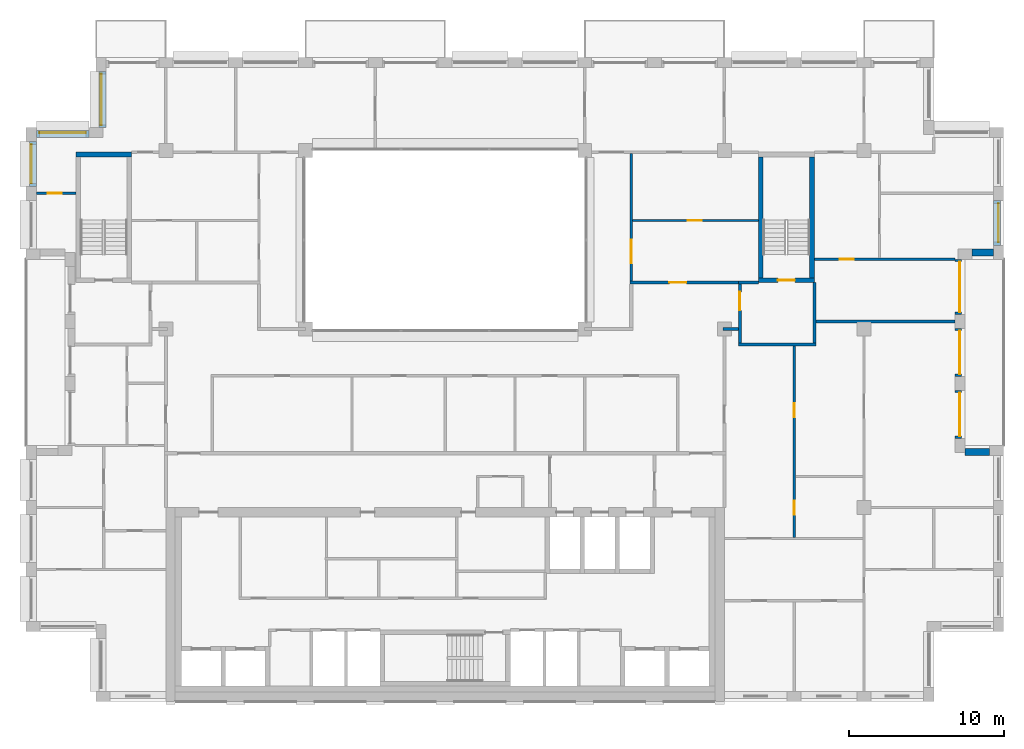
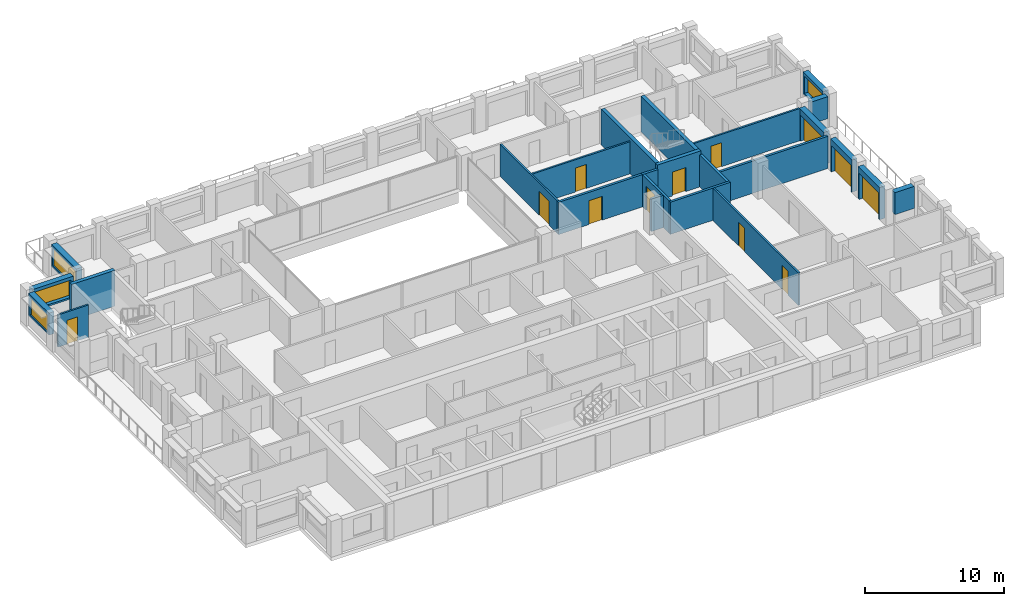
# One storey, part 12 of 15: 25 walls, 12 doors, 4 windows, 16 openings.
"""IFC4 building model written with IfcOpenShell, lengths in metres."""

from ifc_helpers import new_model, si_unit, direction, frame, frame_2d, origin, place, context, subcontext, project, spatial, rectangle, extrude, material, layer, layer_set, type_object, element, fill, save


model = new_model("IFC4")

# Units and contexts
model_context = context("Model", 3, precision=1e-05, world=origin(), true_north=direction((0.0, 1.0)))
body_context = subcontext(model_context, "Body", "Model", "MODEL_VIEW")
ifc_project = project(units=[si_unit("LENGTHUNIT", "METRE"), si_unit("AREAUNIT", "SQUARE_METRE"), si_unit("VOLUMEUNIT", "CUBIC_METRE"), si_unit("PLANEANGLEUNIT", "RADIAN"), si_unit("MASSUNIT", "GRAM", prefix="KILO")], contexts=[model_context])

# Site, building, storey
site_placement = place(None, origin())
site = spatial("IfcSite", under=ifc_project, at=site_placement, CompositionType="ELEMENT")
building_placement = place(site_placement, origin())
building = spatial("IfcBuilding", under=site, at=building_placement, Name="Brigalow Station Residences", CompositionType="ELEMENT")
storey_placement = place(building_placement, frame((0.0, 0.0, 226.35009765625)))
storey = spatial("IfcBuildingStorey", under=building, at=storey_placement, Name="L65", CompositionType="ELEMENT", Elevation=226.35009765625)

# Wall
ifc_material_1 = material(Name="Clay brick masonry", Category="masonry")
ifc_layer_1 = layer(ifc_material_1, 0.449951171875)
ifc_layer_set_1 = layer_set([ifc_layer_1], Name="BRICK INFILL WALL 450")
wall_type_1 = type_object("IfcWallType", Name="BRICK INFILL WALL 450", PredefinedType="SOLIDWALL", material=ifc_layer_set_1)
wall_1_placement = place(storey_placement, frame((71.10009765625, 16.074951171875, 0.89990234375), z_axis=(0.0, 0.0, 1.0), x_axis=(-1.0, 0.0, 0.0)))
element("IfcWall", 1, at=wall_1_placement, inside=storey, type_object=wall_type_1, Name="L65/ewall/W-L65-11", PredefinedType="SOLIDWALL", context=body_context, shape_type="SweptSolid", body=[
    extrude(rectangle(XDim=1.60009765625, YDim=0.449951171875, at=frame_2d((0.800048828125, 0.0))), origin(), (0.0, 0.0, 1.0), 1.929931640625),
])

# Wall, opening, door
wall_2_placement = place(storey_placement, frame((69.074951171875, 16.949951171875, 0.0), z_axis=(0.0, 0.0, 1.0), x_axis=(0.0, 1.0, 0.0)))
wall_2 = element("IfcWall", 2, at=wall_2_placement, inside=storey, type_object=wall_type_1, Name="L65/ewall/W-L65-12", PredefinedType="SOLIDWALL", context=body_context, shape_type="SweptSolid", body=[
    extrude(rectangle(XDim=3.10009765625, YDim=0.449951171875, at=frame_2d((1.550048828125, 0.0))), origin(), (0.0, 0.0, 1.0), 2.829833984375),
])
opening_1_placement = place(wall_2_placement, frame((0.14990234375, 0.0, 0.0)))
opening_1 = element("IfcOpeningElement", 3, at=opening_1_placement, cuts=wall_2, Name="Opening D-B2800", PredefinedType="OPENING", context=body_context, shape_type="SweptSolid", body=[
    extrude(rectangle(XDim=2.800048828125, YDim=2.300048828125, at=frame_2d((1.39990234375, 1.14990234375))), frame((0.0, 0.23486328125, 0.0), z_axis=(0.0, -1.0, 0.0), x_axis=(1.0, 0.0, 0.0)), (0.0, 0.0, 1.0), 0.469970703125),
])
ifc_material_2 = material(Name="Anodised aluminium frame with double glazing", Category="aluminium")
door_type_1 = type_object("IfcDoorType", Name="BALCONY SLIDING DOOR 2800x2300", OperationType="SLIDING_TO_LEFT", PredefinedType="DOOR", material=ifc_material_2)
door_1_placement = place(opening_1_placement, origin())
door_1 = element("IfcDoor", 4, at=door_1_placement, inside=storey, type_object=door_type_1, Name="L65/balcony-door/W-L65-12", OperationType="SLIDING_TO_LEFT", OverallHeight=2.300048828125, OverallWidth=2.800048828125, PredefinedType="DOOR", context=body_context, shape_type="SweptSolid", body=[
    extrude(rectangle(XDim=2.800048828125, YDim=2.300048828125, at=frame_2d((1.39990234375, 1.14990234375))), frame((0.0, -0.06982421875, 0.0), z_axis=(0.0, -1.0, 0.0), x_axis=(1.0, 0.0, 0.0)), (0.0, 0.0, 1.0), 0.050048828125),
])
fill(opening_1, door_1)

wall_3_placement = place(storey_placement, frame((69.074951171875, 20.949951171875, 0.0), z_axis=(0.0, 0.0, 1.0), x_axis=(0.0, 1.0, 0.0)))
wall_3 = element("IfcWall", 5, at=wall_3_placement, inside=storey, type_object=wall_type_1, Name="L65/ewall/W-L65-13", PredefinedType="SOLIDWALL", context=body_context, shape_type="SweptSolid", body=[
    extrude(rectangle(XDim=3.10009765625, YDim=0.449951171875, at=frame_2d((1.550048828125, 0.0))), origin(), (0.0, 0.0, 1.0), 2.829833984375),
])
opening_2_placement = place(wall_3_placement, frame((0.14990234375, 0.0, 0.0)))
opening_2 = element("IfcOpeningElement", 6, at=opening_2_placement, cuts=wall_3, Name="Opening D-B2800", PredefinedType="OPENING", context=body_context, shape_type="SweptSolid", body=[
    extrude(rectangle(XDim=2.800048828125, YDim=2.300048828125, at=frame_2d((1.39990234375, 1.14990234375))), frame((0.0, 0.23486328125, 0.0), z_axis=(0.0, -1.0, 0.0), x_axis=(1.0, 0.0, 0.0)), (0.0, 0.0, 1.0), 0.469970703125),
])
door_2_placement = place(opening_2_placement, origin())
door_2 = element("IfcDoor", 7, at=door_2_placement, inside=storey, type_object=door_type_1, Name="L65/balcony-door/W-L65-13", OperationType="SLIDING_TO_LEFT", OverallHeight=2.300048828125, OverallWidth=2.800048828125, PredefinedType="DOOR", context=body_context, shape_type="SweptSolid", body=[
    extrude(rectangle(XDim=2.800048828125, YDim=2.300048828125, at=frame_2d((1.39990234375, 1.14990234375))), frame((0.0, -0.06982421875, 0.0), z_axis=(0.0, -1.0, 0.0), x_axis=(1.0, 0.0, 0.0)), (0.0, 0.0, 1.0), 0.050048828125),
])
fill(opening_2, door_2)

wall_4_placement = place(storey_placement, frame((69.074951171875, 24.949951171875, 0.0), z_axis=(0.0, 0.0, 1.0), x_axis=(0.0, 1.0, 0.0)))
wall_4 = element("IfcWall", 8, at=wall_4_placement, inside=storey, type_object=wall_type_1, Name="L65/ewall/W-L65-14", PredefinedType="SOLIDWALL", context=body_context, shape_type="SweptSolid", body=[
    extrude(rectangle(XDim=3.550048828125, YDim=0.449951171875, at=frame_2d((1.77490234375, 0.0))), origin(), (0.0, 0.0, 1.0), 2.829833984375),
])
opening_3_placement = place(wall_4_placement, frame((0.14990234375, 0.0, 0.0)))
opening_3 = element("IfcOpeningElement", 9, at=opening_3_placement, cuts=wall_4, Name="Opening D-B3250", PredefinedType="OPENING", context=body_context, shape_type="SweptSolid", body=[
    extrude(rectangle(XDim=3.25, YDim=2.300048828125, at=frame_2d((1.625, 1.14990234375))), frame((0.0, 0.23486328125, 0.0), z_axis=(0.0, -1.0, 0.0), x_axis=(1.0, 0.0, 0.0)), (0.0, 0.0, 1.0), 0.469970703125),
])
ifc_material_3 = material(Name="Anodised aluminium frame with double glazing", Category="aluminium")
door_type_2 = type_object("IfcDoorType", Name="BALCONY SLIDING DOOR 3250x2300", OperationType="SLIDING_TO_LEFT", PredefinedType="DOOR", material=ifc_material_3)
door_3_placement = place(opening_3_placement, origin())
door_3 = element("IfcDoor", 10, at=door_3_placement, inside=storey, type_object=door_type_2, Name="L65/balcony-door/W-L65-14", OperationType="SLIDING_TO_LEFT", OverallHeight=2.300048828125, OverallWidth=3.25, PredefinedType="DOOR", context=body_context, shape_type="SweptSolid", body=[
    extrude(rectangle(XDim=3.25, YDim=2.300048828125, at=frame_2d((1.625, 1.14990234375))), frame((0.0, -0.06982421875, 0.0), z_axis=(0.0, -1.0, 0.0), x_axis=(1.0, 0.0, 0.0)), (0.0, 0.0, 1.0), 0.050048828125),
])
fill(opening_3, door_3)

# Wall
wall_5_placement = place(storey_placement, frame((69.949951171875, 28.925048828125, 0.89990234375), z_axis=(0.0, 0.0, 1.0), x_axis=(1.0, 0.0, 0.0)))
element("IfcWall", 11, at=wall_5_placement, inside=storey, type_object=wall_type_1, Name="L65/ewall/W-L65-15", PredefinedType="SOLIDWALL", context=body_context, shape_type="SweptSolid", body=[
    extrude(rectangle(XDim=1.400146484375, YDim=0.449951171875, at=frame_2d((0.7001953125, 0.0))), origin(), (0.0, 0.0, 1.0), 1.929931640625),
])

# Wall, opening, window
wall_6_placement = place(storey_placement, frame((71.574951171875, 29.39990234375, 0.89990234375), z_axis=(0.0, 0.0, 1.0), x_axis=(0.0, 1.0, 0.0)))
wall_6 = element("IfcWall", 12, at=wall_6_placement, inside=storey, type_object=wall_type_1, Name="L65/ewall/W-L65-16", PredefinedType="SOLIDWALL", context=body_context, shape_type="SweptSolid", body=[
    extrude(rectangle(XDim=2.900146484375, YDim=0.449951171875, at=frame_2d((1.4501953125, 0.0))), origin(), (0.0, 0.0, 1.0), 1.929931640625),
])
opening_4_placement = place(wall_6_placement, frame((0.199951171875, 0.0, 0.14990234375)))
opening_4 = element("IfcOpeningElement", 13, at=opening_4_placement, cuts=wall_6, Name="Opening WT-5", PredefinedType="OPENING", context=body_context, shape_type="SweptSolid", body=[
    extrude(rectangle(XDim=2.5, YDim=1.5, at=frame_2d((1.25, 0.75))), frame((0.0, 0.23486328125, 0.0), z_axis=(0.0, -1.0, 0.0), x_axis=(1.0, 0.0, 0.0)), (0.0, 0.0, 1.0), 0.469970703125),
])
ifc_material_4 = material(Name="Anodised aluminium frame with double glazing", Category="aluminium")
window_type_1 = type_object("IfcWindowType", Name="WINDOW 2500x1500", PartitioningType="SINGLE_PANEL", PredefinedType="WINDOW", material=ifc_material_4)
window_1_placement = place(opening_4_placement, origin())
window_1 = element("IfcWindow", 14, at=window_1_placement, inside=storey, type_object=window_type_1, Name="L65/window/W-L65-16", OverallHeight=1.5, OverallWidth=2.5, PartitioningType="SINGLE_PANEL", PredefinedType="WINDOW", context=body_context, shape_type="SweptSolid", body=[
    extrude(rectangle(XDim=2.5, YDim=1.5, at=frame_2d((1.25, 0.75))), frame((0.0, -0.06494140625, 0.0), z_axis=(0.0, -1.0, 0.0), x_axis=(1.0, 0.0, 0.0)), (0.0, 0.0, 1.0), 0.06005859375),
])
fill(opening_4, window_1)

wall_7_placement = place(storey_placement, frame((13.925048828125, 40.60009765625, 0.89990234375), z_axis=(0.0, 0.0, 1.0), x_axis=(0.0, -1.0, 0.0)))
wall_7 = element("IfcWall", 15, at=wall_7_placement, inside=storey, type_object=wall_type_1, Name="L65/ewall/W-L65-32", PredefinedType="SOLIDWALL", context=body_context, shape_type="SweptSolid", body=[
    extrude(rectangle(XDim=3.60009765625, YDim=0.449951171875, at=frame_2d((1.800048828125, 0.0))), origin(), (0.0, 0.0, 1.0), 1.929931640625),
])
opening_5_placement = place(wall_7_placement, frame((0.14990234375, 0.0, 0.14990234375)))
opening_5 = element("IfcOpeningElement", 16, at=opening_5_placement, cuts=wall_7, Name="Opening WT-10", PredefinedType="OPENING", context=body_context, shape_type="SweptSolid", body=[
    extrude(rectangle(XDim=3.300048828125, YDim=1.5, at=frame_2d((1.64990234375, 0.75))), frame((0.0, 0.23486328125, 0.0), z_axis=(0.0, -1.0, 0.0), x_axis=(1.0, 0.0, 0.0)), (0.0, 0.0, 1.0), 0.469970703125),
])
ifc_material_5 = material(Name="Anodised aluminium frame with double glazing", Category="aluminium")
window_type_2 = type_object("IfcWindowType", Name="WINDOW 3300x1500", PartitioningType="SINGLE_PANEL", PredefinedType="WINDOW", material=ifc_material_5)
window_2_placement = place(opening_5_placement, origin())
window_2 = element("IfcWindow", 17, at=window_2_placement, inside=storey, type_object=window_type_2, Name="L65/window/W-L65-32", OverallHeight=1.5, OverallWidth=3.300048828125, PartitioningType="SINGLE_PANEL", PredefinedType="WINDOW", context=body_context, shape_type="SweptSolid", body=[
    extrude(rectangle(XDim=3.300048828125, YDim=1.5, at=frame_2d((1.64990234375, 0.75))), frame((0.0, -0.06494140625, 0.0), z_axis=(0.0, -1.0, 0.0), x_axis=(1.0, 0.0, 0.0)), (0.0, 0.0, 1.0), 0.06005859375),
])
fill(opening_5, window_2)

wall_8_placement = place(storey_placement, frame((13.050048828125, 36.574951171875, 0.89990234375), z_axis=(0.0, 0.0, 1.0), x_axis=(-1.0, 0.0, 0.0)))
wall_8 = element("IfcWall", 18, at=wall_8_placement, inside=storey, type_object=wall_type_1, Name="L65/ewall/W-L65-33", PredefinedType="SOLIDWALL", context=body_context, shape_type="SweptSolid", body=[
    extrude(rectangle(XDim=3.400146484375, YDim=0.449951171875, at=frame_2d((1.7001953125, 0.0))), origin(), (0.0, 0.0, 1.0), 1.929931640625),
])
opening_6_placement = place(wall_8_placement, frame((0.199951171875, 0.0, 0.14990234375)))
opening_6 = element("IfcOpeningElement", 19, at=opening_6_placement, cuts=wall_8, Name="Opening WT-2", PredefinedType="OPENING", context=body_context, shape_type="SweptSolid", body=[
    extrude(rectangle(XDim=3.0, YDim=1.5, at=frame_2d((1.5, 0.75))), frame((0.0, 0.23486328125, 0.0), z_axis=(0.0, -1.0, 0.0), x_axis=(1.0, 0.0, 0.0)), (0.0, 0.0, 1.0), 0.469970703125),
])
ifc_material_6 = material(Name="Anodised aluminium frame with double glazing", Category="aluminium")
window_type_3 = type_object("IfcWindowType", Name="WINDOW 3000x1500", PartitioningType="SINGLE_PANEL", PredefinedType="WINDOW", material=ifc_material_6)
window_3_placement = place(opening_6_placement, origin())
window_3 = element("IfcWindow", 20, at=window_3_placement, inside=storey, type_object=window_type_3, Name="L65/window/W-L65-33", OverallHeight=1.5, OverallWidth=3.0, PartitioningType="SINGLE_PANEL", PredefinedType="WINDOW", context=body_context, shape_type="SweptSolid", body=[
    extrude(rectangle(XDim=3.0, YDim=1.5, at=frame_2d((1.5, 0.75))), frame((0.0, -0.06494140625, 0.0), z_axis=(0.0, -1.0, 0.0), x_axis=(1.0, 0.0, 0.0)), (0.0, 0.0, 1.0), 0.06005859375),
])
fill(opening_6, window_3)

wall_9_placement = place(storey_placement, frame((9.425048828125, 36.10009765625, 0.89990234375), z_axis=(0.0, 0.0, 1.0), x_axis=(0.0, -1.0, 0.0)))
wall_9 = element("IfcWall", 21, at=wall_9_placement, inside=storey, type_object=wall_type_1, Name="L65/ewall/W-L65-34", PredefinedType="SOLIDWALL", context=body_context, shape_type="SweptSolid", body=[
    extrude(rectangle(XDim=2.900146484375, YDim=0.449951171875, at=frame_2d((1.4501953125, 0.0))), origin(), (0.0, 0.0, 1.0), 1.929931640625),
])
opening_7_placement = place(wall_9_placement, frame((0.199951171875, 0.0, 0.14990234375)))
opening_7 = element("IfcOpeningElement", 22, at=opening_7_placement, cuts=wall_9, Name="Opening WT-5", PredefinedType="OPENING", context=body_context, shape_type="SweptSolid", body=[
    extrude(rectangle(XDim=2.5, YDim=1.5, at=frame_2d((1.25, 0.75))), frame((0.0, 0.23486328125, 0.0), z_axis=(0.0, -1.0, 0.0), x_axis=(1.0, 0.0, 0.0)), (0.0, 0.0, 1.0), 0.469970703125),
])
window_4_placement = place(opening_7_placement, origin())
window_4 = element("IfcWindow", 23, at=window_4_placement, inside=storey, type_object=window_type_1, Name="L65/window/W-L65-34", OverallHeight=1.5, OverallWidth=2.5, PartitioningType="SINGLE_PANEL", PredefinedType="WINDOW", context=body_context, shape_type="SweptSolid", body=[
    extrude(rectangle(XDim=2.5, YDim=1.5, at=frame_2d((1.25, 0.75))), frame((0.0, -0.06494140625, 0.0), z_axis=(0.0, -1.0, 0.0), x_axis=(1.0, 0.0, 0.0)), (0.0, 0.0, 1.0), 0.06005859375),
])
fill(opening_7, window_4)

# Wall
ifc_material_7 = material(Name="Concrete C50", Category="concrete")
ifc_layer_2 = layer(ifc_material_7, 0.300048828125)
ifc_layer_set_2 = layer_set([ifc_layer_2], Name="CORE SHEAR WALL 300 C50")
wall_type_2 = type_object("IfcWallType", Name="CORE SHEAR WALL 300 C50", PredefinedType="SHEAR", material=ifc_layer_set_2)
wall_10_placement = place(storey_placement, frame((12.199951171875, 35.25, 0.0), z_axis=(0.0, 0.0, 1.0), x_axis=(1.0, 0.0, 0.0)))
element("IfcWall", 24, at=wall_10_placement, inside=storey, type_object=wall_type_2, Name="CORE WALL ST-S1-N L65", PredefinedType="SHEAR", context=body_context, shape_type="SweptSolid", body=[
    extrude(rectangle(XDim=3.60009765625, YDim=0.300048828125, at=frame_2d((1.800048828125, 0.0))), origin(), (0.0, 0.0, 1.0), 3.14990234375),
])

# Wall, opening, door
wall_11_placement = place(storey_placement, frame((56.199951171875, 27.14990234375, 0.0), z_axis=(0.0, 0.0, 1.0), x_axis=(1.0, 0.0, 0.0)))
wall_11 = element("IfcWall", 25, at=wall_11_placement, inside=storey, type_object=wall_type_2, Name="CORE WALL ST-S3-S L65", PredefinedType="SHEAR", context=body_context, shape_type="SweptSolid", body=[
    extrude(rectangle(XDim=3.60009765625, YDim=0.300048828125, at=frame_2d((1.800048828125, 0.0))), origin(), (0.0, 0.0, 1.0), 3.14990234375),
])
opening_8_placement = place(wall_11_placement, frame((1.25, 0.0, 0.0)))
opening_8 = element("IfcOpeningElement", 26, at=opening_8_placement, cuts=wall_11, Name="Opening D-5018", PredefinedType="OPENING", context=body_context, shape_type="SweptSolid", body=[
    extrude(rectangle(XDim=1.10009765625, YDim=2.10009765625, at=frame_2d((0.550048828125, 1.050048828125))), frame((0.0, 0.16015625, 0.0), z_axis=(0.0, -1.0, 0.0), x_axis=(1.0, 0.0, 0.0)), (0.0, 0.0, 1.0), 0.320068359375),
])
ifc_material_8 = material(Name="Steel fire door leaf in steel frame", Category="steel")
door_type_3 = type_object("IfcDoorType", Name="STAIR DOOR 1100 x 2100 FD60S", OperationType="SINGLE_SWING_LEFT", PredefinedType="DOOR", material=ifc_material_8)
door_4_placement = place(opening_8_placement, origin())
door_4 = element("IfcDoor", 27, at=door_4_placement, inside=storey, type_object=door_type_3, Name="D-5018", OperationType="SINGLE_SWING_LEFT", OverallHeight=2.10009765625, OverallWidth=1.10009765625, PredefinedType="DOOR", context=body_context, shape_type="SweptSolid", body=[
    extrude(rectangle(XDim=1.10009765625, YDim=2.10009765625, at=frame_2d((0.550048828125, 1.050048828125))), frame((0.0, 0.02490234375, 0.0), z_axis=(0.0, -1.0, 0.0), x_axis=(1.0, 0.0, 0.0)), (0.0, 0.0, 1.0), 0.050048828125),
])
fill(opening_8, door_4)

# Walls
for number, where, z_axis, x_axis, name in (
    (28, (56.35009765625, 27.300048828125, 0.0), (0.0, 0.0, 1.0), (0.0, 1.0, 0.0), "CORE WALL ST-S3-W L65"),
    (29, (59.64990234375, 27.300048828125, 0.0), (0.0, 0.0, 1.0), (0.0, 1.0, 0.0), "CORE WALL ST-S3-E L65"),
):
    element("IfcWall", number, at=place(storey_placement, frame(where, z_axis=z_axis, x_axis=x_axis)), inside=storey, type_object=wall_type_2, Name=name, PredefinedType="SHEAR", context=body_context, shape_type="SweptSolid", body=[
        extrude(rectangle(XDim=7.800048828125, YDim=0.300048828125, at=frame_2d((3.89990234375, 0.0))), origin(), (0.0, 0.0, 1.0), 3.14990234375),
    ])
ifc_material_9 = material(Name="Concrete blockwork", Category="masonry")
ifc_layer_3 = layer(ifc_material_9, 0.199951171875)
ifc_layer_set_3 = layer_set([ifc_layer_3], Name="FIRE RATED CORE PARTITION 200")
wall_type_3 = type_object("IfcWallType", Name="FIRE RATED CORE PARTITION 200", PredefinedType="PARTITIONING", material=ifc_layer_set_3)
wall_12_placement = place(storey_placement, frame((54.89990234375, 23.0, 0.0), z_axis=(0.0, 0.0, 1.0), x_axis=(1.0, 0.0, 0.0)))
element("IfcWall", 30, at=wall_12_placement, inside=storey, type_object=wall_type_3, Name="PW-5024", PredefinedType="PARTITIONING", context=body_context, shape_type="SweptSolid", body=[
    extrude(rectangle(XDim=5.0, YDim=0.199951171875, at=frame_2d((2.5, 0.0))), origin(), (0.0, 0.0, 1.0), 2.829833984375),
])
wall_13_placement = place(storey_placement, frame((54.89990234375, 27.0, 0.0), z_axis=(0.0, 0.0, 1.0), x_axis=(1.0, 0.0, 0.0)))
element("IfcWall", 31, at=wall_13_placement, inside=storey, type_object=wall_type_3, Name="PW-5026", PredefinedType="PARTITIONING", context=body_context, shape_type="SweptSolid", body=[
    extrude(rectangle(XDim=1.300048828125, YDim=0.199951171875, at=frame_2d((0.64990234375, 0.0))), origin(), (0.0, 0.0, 1.0), 2.829833984375),
])

# Wall, opening, door
wall_14_placement = place(storey_placement, frame((55.0, 23.10009765625, 0.0), z_axis=(0.0, 0.0, 1.0), x_axis=(0.0, 1.0, 0.0)))
wall_14 = element("IfcWall", 32, at=wall_14_placement, inside=storey, type_object=wall_type_3, Name="PW-5036", PredefinedType="PARTITIONING", context=body_context, shape_type="SweptSolid", body=[
    extrude(rectangle(XDim=3.7998046875, YDim=0.199951171875, at=frame_2d((1.89990234375, 0.0))), origin(), (0.0, 0.0, 1.0), 2.829833984375),
])
opening_9_placement = place(wall_14_placement, frame((2.10009765625, 0.0, 0.0)))
opening_9 = element("IfcOpeningElement", 33, at=opening_9_placement, cuts=wall_14, Name="Opening D-5019", PredefinedType="OPENING", context=body_context, shape_type="SweptSolid", body=[
    extrude(rectangle(XDim=1.199951171875, YDim=2.10009765625, at=frame_2d((0.60009765625, 1.050048828125))), frame((0.0, 0.10986328125, 0.0), z_axis=(0.0, -1.0, 0.0), x_axis=(1.0, 0.0, 0.0)), (0.0, 0.0, 1.0), 0.219970703125),
])
ifc_material_10 = material(Name="Steel fire door leaf in steel frame", Category="steel")
door_type_4 = type_object("IfcDoorType", Name="STAIR LOBBY DOOR 1200 x 2100 FD60S", OperationType="SINGLE_SWING_LEFT", PredefinedType="DOOR", material=ifc_material_10)
door_5_placement = place(opening_9_placement, frame((1.199951171875, 0.0, 0.0), z_axis=(0.0, 0.0, 1.0), x_axis=(-1.0, 0.0, 0.0)))
door_5 = element("IfcDoor", 34, at=door_5_placement, inside=storey, type_object=door_type_4, Name="D-5019", OperationType="SINGLE_SWING_LEFT", OverallHeight=2.10009765625, OverallWidth=1.199951171875, PredefinedType="DOOR", context=body_context, shape_type="SweptSolid", body=[
    extrude(rectangle(XDim=1.199951171875, YDim=2.10009765625, at=frame_2d((0.60009765625, 1.050048828125))), frame((0.0, 0.02490234375, 0.0), z_axis=(0.0, -1.0, 0.0), x_axis=(1.0, 0.0, 0.0)), (0.0, 0.0, 1.0), 0.050048828125),
])
fill(opening_9, door_5)

# Wall
wall_15_placement = place(storey_placement, frame((59.800048828125, 23.10009765625, 0.0), z_axis=(0.0, 0.0, 1.0), x_axis=(0.0, 1.0, 0.0)))
element("IfcWall", 35, at=wall_15_placement, inside=storey, type_object=wall_type_3, Name="PW-5037", PredefinedType="PARTITIONING", context=body_context, shape_type="SweptSolid", body=[
    extrude(rectangle(XDim=3.89990234375, YDim=0.199951171875, at=frame_2d((1.949951171875, 0.0))), origin(), (0.0, 0.0, 1.0), 2.829833984375),
])

# Wall, opening, door
ifc_material_11 = material(Name="Plasterboard on steel stud partition", Category="steel")
ifc_layer_4 = layer(ifc_material_11, 0.14990234375)
ifc_layer_set_4 = layer_set([ifc_layer_4], Name="FLAT PARTITION 150")
wall_type_4 = type_object("IfcWallType", Name="FLAT PARTITION 150", PredefinedType="PARTITIONING", material=ifc_layer_set_4)
wall_16_placement = place(storey_placement, frame((48.074951171875, 31.0, 0.0), z_axis=(0.0, 0.0, 1.0), x_axis=(1.0, 0.0, 0.0)))
wall_16 = element("IfcWall", 36, at=wall_16_placement, inside=storey, type_object=wall_type_4, Name="PW-4D16", PredefinedType="PARTITIONING", context=body_context, shape_type="SweptSolid", body=[
    extrude(rectangle(XDim=8.125, YDim=0.14990234375, at=frame_2d((4.0625, 0.0))), origin(), (0.0, 0.0, 1.0), 2.829833984375),
])
opening_10_placement = place(wall_16_placement, frame((3.574951171875, 0.0, 0.0)))
opening_10 = element("IfcOpeningElement", 37, at=opening_10_placement, cuts=wall_16, Name="Opening D-4D12", PredefinedType="OPENING", context=body_context, shape_type="SweptSolid", body=[
    extrude(rectangle(XDim=0.89990234375, YDim=2.10009765625, at=frame_2d((0.449951171875, 1.050048828125))), frame((0.0, 0.0849609375, 0.0), z_axis=(0.0, -1.0, 0.0), x_axis=(1.0, 0.0, 0.0)), (0.0, 0.0, 1.0), 0.169921875),
])
ifc_material_12 = material(Name="Solid-core timber door leaf", Category="wood")
door_type_5 = type_object("IfcDoorType", Name="INTERNAL DOOR 900 x 2100", OperationType="SINGLE_SWING_LEFT", PredefinedType="DOOR", material=ifc_material_12)
door_6_placement = place(opening_10_placement, frame((0.89990234375, 0.0, 0.0), z_axis=(0.0, 0.0, 1.0), x_axis=(-1.0, 0.0, 0.0)))
door_6 = element("IfcDoor", 38, at=door_6_placement, inside=storey, type_object=door_type_5, Name="D-4D12", OperationType="SINGLE_SWING_RIGHT", OverallHeight=2.10009765625, OverallWidth=0.89990234375, PredefinedType="DOOR", context=body_context, shape_type="SweptSolid", body=[
    extrude(rectangle(XDim=0.89990234375, YDim=2.10009765625, at=frame_2d((0.449951171875, 1.050048828125))), frame((0.0, 0.02490234375, 0.0), z_axis=(0.0, -1.0, 0.0), x_axis=(1.0, 0.0, 0.0)), (0.0, 0.0, 1.0), 0.050048828125),
])
fill(opening_10, door_6)

wall_17_placement = place(storey_placement, frame((9.64990234375, 32.75, 0.0), z_axis=(0.0, 0.0, 1.0), x_axis=(1.0, 0.0, 0.0)))
wall_17 = element("IfcWall", 39, at=wall_17_placement, inside=storey, type_object=wall_type_4, Name="PW-4D20", PredefinedType="PARTITIONING", context=body_context, shape_type="SweptSolid", body=[
    extrude(rectangle(XDim=2.550048828125, YDim=0.14990234375, at=frame_2d((1.27490234375, 0.0))), origin(), (0.0, 0.0, 1.0), 2.829833984375),
])
opening_11_placement = place(wall_17_placement, frame((0.75, 0.0, 0.0)))
opening_11 = element("IfcOpeningElement", 40, at=opening_11_placement, cuts=wall_17, Name="Opening D-4D24", PredefinedType="OPENING", context=body_context, shape_type="SweptSolid", body=[
    extrude(rectangle(XDim=0.89990234375, YDim=2.10009765625, at=frame_2d((0.449951171875, 1.050048828125))), frame((0.0, 0.0849609375, 0.0), z_axis=(0.0, -1.0, 0.0), x_axis=(1.0, 0.0, 0.0)), (0.0, 0.0, 1.0), 0.169921875),
])
door_7_placement = place(opening_11_placement, frame((0.89990234375, 0.0, 0.0), z_axis=(0.0, 0.0, 1.0), x_axis=(-1.0, 0.0, 0.0)))
door_7 = element("IfcDoor", 41, at=door_7_placement, inside=storey, type_object=door_type_5, Name="D-4D24", OperationType="SINGLE_SWING_RIGHT", OverallHeight=2.10009765625, OverallWidth=0.89990234375, PredefinedType="DOOR", context=body_context, shape_type="SweptSolid", body=[
    extrude(rectangle(XDim=0.89990234375, YDim=2.10009765625, at=frame_2d((0.449951171875, 1.050048828125))), frame((0.0, 0.02490234375, 0.0), z_axis=(0.0, -1.0, 0.0), x_axis=(1.0, 0.0, 0.0)), (0.0, 0.0, 1.0), 0.050048828125),
])
fill(opening_11, door_7)

wall_18_placement = place(storey_placement, frame((59.800048828125, 28.5, 0.0), z_axis=(0.0, 0.0, 1.0), x_axis=(1.0, 0.0, 0.0)))
wall_18 = element("IfcWall", 42, at=wall_18_placement, inside=storey, type_object=wall_type_4, Name="PW-4D22", PredefinedType="PARTITIONING", context=body_context, shape_type="SweptSolid", body=[
    extrude(rectangle(XDim=9.050048828125, YDim=0.14990234375, at=frame_2d((4.52490234375, 0.0))), origin(), (0.0, 0.0, 1.0), 2.829833984375),
])
opening_12_placement = place(wall_18_placement, frame((1.64990234375, 0.0, 0.0)))
opening_12 = element("IfcOpeningElement", 43, at=opening_12_placement, cuts=wall_18, Name="Opening D-4D30", PredefinedType="OPENING", context=body_context, shape_type="SweptSolid", body=[
    extrude(rectangle(XDim=0.89990234375, YDim=2.10009765625, at=frame_2d((0.449951171875, 1.050048828125))), frame((0.0, 0.0849609375, 0.0), z_axis=(0.0, -1.0, 0.0), x_axis=(1.0, 0.0, 0.0)), (0.0, 0.0, 1.0), 0.169921875),
])
door_8_placement = place(opening_12_placement, frame((0.89990234375, 0.0, 0.0), z_axis=(0.0, 0.0, 1.0), x_axis=(-1.0, 0.0, 0.0)))
door_8 = element("IfcDoor", 44, at=door_8_placement, inside=storey, type_object=door_type_5, Name="D-4D30", OperationType="SINGLE_SWING_RIGHT", OverallHeight=2.10009765625, OverallWidth=0.89990234375, PredefinedType="DOOR", context=body_context, shape_type="SweptSolid", body=[
    extrude(rectangle(XDim=0.89990234375, YDim=2.10009765625, at=frame_2d((0.449951171875, 1.050048828125))), frame((0.0, 0.02490234375, 0.0), z_axis=(0.0, -1.0, 0.0), x_axis=(1.0, 0.0, 0.0)), (0.0, 0.0, 1.0), 0.050048828125),
])
fill(opening_12, door_8)

wall_19_placement = place(storey_placement, frame((48.0, 27.10009765625, 0.0), z_axis=(0.0, 0.0, 1.0), x_axis=(0.0, 1.0, 0.0)))
wall_19 = element("IfcWall", 45, at=wall_19_placement, inside=storey, type_object=wall_type_4, Name="PW-4D36", PredefinedType="PARTITIONING", context=body_context, shape_type="SweptSolid", body=[
    extrude(rectangle(XDim=8.224853515625, YDim=0.14990234375, at=frame_2d((4.1123046875, 0.0))), origin(), (0.0, 0.0, 1.0), 2.829833984375),
])
opening_13_placement = place(wall_19_placement, frame((1.14990234375, 0.0, 0.0)))
opening_13 = element("IfcOpeningElement", 46, at=opening_13_placement, cuts=wall_19, Name="Opening D-4D13", PredefinedType="OPENING", context=body_context, shape_type="SweptSolid", body=[
    extrude(rectangle(XDim=1.5, YDim=2.10009765625, at=frame_2d((0.75, 1.050048828125))), frame((0.0, 0.0849609375, 0.0), z_axis=(0.0, -1.0, 0.0), x_axis=(1.0, 0.0, 0.0)), (0.0, 0.0, 1.0), 0.169921875),
])
ifc_material_13 = material(Name="Solid-core timber door leaf", Category="wood")
door_type_6 = type_object("IfcDoorType", Name="INTERNAL DOUBLE DOOR 1500 x 2100", OperationType="DOUBLE_DOOR_SINGLE_SWING", PredefinedType="DOOR", material=ifc_material_13)
door_9_placement = place(opening_13_placement, frame((1.5, 0.0, 0.0), z_axis=(0.0, 0.0, 1.0), x_axis=(-1.0, 0.0, 0.0)))
door_9 = element("IfcDoor", 47, at=door_9_placement, inside=storey, type_object=door_type_6, Name="D-4D13", OperationType="DOUBLE_DOOR_SINGLE_SWING", OverallHeight=2.10009765625, OverallWidth=1.5, PredefinedType="DOOR", context=body_context, shape_type="SweptSolid", body=[
    extrude(rectangle(XDim=1.5, YDim=2.10009765625, at=frame_2d((0.75, 1.050048828125))), frame((0.0, 0.02490234375, 0.0), z_axis=(0.0, -1.0, 0.0), x_axis=(1.0, 0.0, 0.0)), (0.0, 0.0, 1.0), 0.050048828125),
])
fill(opening_13, door_9)

# Wall, openings, doors
wall_20_placement = place(storey_placement, frame((58.5, 10.574951171875, 0.0), z_axis=(0.0, 0.0, 1.0), x_axis=(0.0, 1.0, 0.0)))
wall_20 = element("IfcWall", 48, at=wall_20_placement, inside=storey, type_object=wall_type_4, Name="PW-4D51", PredefinedType="PARTITIONING", context=body_context, shape_type="SweptSolid", body=[
    extrude(rectangle(XDim=12.324951171875, YDim=0.14990234375, at=frame_2d((6.16259765625, 0.0))), origin(), (0.0, 0.0, 1.0), 2.829833984375),
])
opening_14_placement = place(wall_20_placement, frame((1.47509765625, 0.0, 0.0)))
opening_14 = element("IfcOpeningElement", 49, at=opening_14_placement, cuts=wall_20, Name="Opening D-4D38", PredefinedType="OPENING", context=body_context, shape_type="SweptSolid", body=[
    extrude(rectangle(XDim=0.89990234375, YDim=2.10009765625, at=frame_2d((0.449951171875, 1.050048828125))), frame((0.0, 0.0849609375, 0.0), z_axis=(0.0, -1.0, 0.0), x_axis=(1.0, 0.0, 0.0)), (0.0, 0.0, 1.0), 0.169921875),
])
opening_15_placement = place(wall_20_placement, frame((7.75, 0.0, 0.0)))
opening_15 = element("IfcOpeningElement", 50, at=opening_15_placement, cuts=wall_20, Name="Opening D-4D39", PredefinedType="OPENING", context=body_context, shape_type="SweptSolid", body=[
    extrude(rectangle(XDim=0.89990234375, YDim=2.10009765625, at=frame_2d((0.449951171875, 1.050048828125))), frame((0.0, 0.0849609375, 0.0), z_axis=(0.0, -1.0, 0.0), x_axis=(1.0, 0.0, 0.0)), (0.0, 0.0, 1.0), 0.169921875),
])
door_10_placement = place(opening_14_placement, frame((0.89990234375, 0.0, 0.0), z_axis=(0.0, 0.0, 1.0), x_axis=(-1.0, 0.0, 0.0)))
door_10 = element("IfcDoor", 51, at=door_10_placement, inside=storey, type_object=door_type_5, Name="D-4D38", OperationType="SINGLE_SWING_LEFT", OverallHeight=2.10009765625, OverallWidth=0.89990234375, PredefinedType="DOOR", context=body_context, shape_type="SweptSolid", body=[
    extrude(rectangle(XDim=0.89990234375, YDim=2.10009765625, at=frame_2d((0.449951171875, 1.050048828125))), frame((0.0, 0.02490234375, 0.0), z_axis=(0.0, -1.0, 0.0), x_axis=(1.0, 0.0, 0.0)), (0.0, 0.0, 1.0), 0.050048828125),
])
fill(opening_14, door_10)
door_11_placement = place(opening_15_placement, frame((0.89990234375, 0.0, 0.0), z_axis=(0.0, 0.0, 1.0), x_axis=(-1.0, 0.0, 0.0)))
door_11 = element("IfcDoor", 52, at=door_11_placement, inside=storey, type_object=door_type_5, Name="D-4D39", OperationType="SINGLE_SWING_LEFT", OverallHeight=2.10009765625, OverallWidth=0.89990234375, PredefinedType="DOOR", context=body_context, shape_type="SweptSolid", body=[
    extrude(rectangle(XDim=0.89990234375, YDim=2.10009765625, at=frame_2d((0.449951171875, 1.050048828125))), frame((0.0, 0.02490234375, 0.0), z_axis=(0.0, -1.0, 0.0), x_axis=(1.0, 0.0, 0.0)), (0.0, 0.0, 1.0), 0.050048828125),
])
fill(opening_15, door_11)

# Wall
ifc_material_14 = material(Name="Plasterboard on steel stud partition", Category="steel")
ifc_layer_5 = layer(ifc_material_14, 0.199951171875)
ifc_layer_set_5 = layer_set([ifc_layer_5], Name="PARTY AND CORRIDOR WALL 200")
wall_type_5 = type_object("IfcWallType", Name="PARTY AND CORRIDOR WALL 200", PredefinedType="PARTITIONING", material=ifc_layer_set_5)
wall_21_placement = place(storey_placement, frame((53.89990234375, 24.0, 0.0), z_axis=(0.0, 0.0, 1.0), x_axis=(1.0, 0.0, 0.0)))
element("IfcWall", 53, at=wall_21_placement, inside=storey, type_object=wall_type_5, Name="PW-4D04", PredefinedType="PARTITIONING", context=body_context, shape_type="SweptSolid", body=[
    extrude(rectangle(XDim=1.0, YDim=0.199951171875, at=frame_2d((0.5, 0.0))), origin(), (0.0, 0.0, 1.0), 2.829833984375),
])

# Wall, opening, door
wall_22_placement = place(storey_placement, frame((47.925048828125, 27.0, 0.0), z_axis=(0.0, 0.0, 1.0), x_axis=(1.0, 0.0, 0.0)))
wall_22 = element("IfcWall", 54, at=wall_22_placement, inside=storey, type_object=wall_type_5, Name="PW-4D07", PredefinedType="PARTITIONING", context=body_context, shape_type="SweptSolid", body=[
    extrude(rectangle(XDim=6.974853515625, YDim=0.199951171875, at=frame_2d((3.4873046875, 0.0))), origin(), (0.0, 0.0, 1.0), 2.829833984375),
])
opening_16_placement = place(wall_22_placement, frame((2.52490234375, 0.0, 0.0)))
opening_16 = element("IfcOpeningElement", 55, at=opening_16_placement, cuts=wall_22, Name="Opening D-4D11", PredefinedType="OPENING", context=body_context, shape_type="SweptSolid", body=[
    extrude(rectangle(XDim=1.10009765625, YDim=2.10009765625, at=frame_2d((0.550048828125, 1.050048828125))), frame((0.0, 0.10986328125, 0.0), z_axis=(0.0, -1.0, 0.0), x_axis=(1.0, 0.0, 0.0)), (0.0, 0.0, 1.0), 0.219970703125),
])
ifc_material_15 = material(Name="Solid-core timber door leaf", Category="wood")
door_type_7 = type_object("IfcDoorType", Name="FLAT ENTRANCE DOOR 1100 x 2100 FRL -/60/30", OperationType="SINGLE_SWING_LEFT", PredefinedType="DOOR", material=ifc_material_15)
door_12_placement = place(opening_16_placement, origin())
door_12 = element("IfcDoor", 56, at=door_12_placement, inside=storey, type_object=door_type_7, Name="D-4D11", OperationType="SINGLE_SWING_LEFT", OverallHeight=2.10009765625, OverallWidth=1.10009765625, PredefinedType="DOOR", context=body_context, shape_type="SweptSolid", body=[
    extrude(rectangle(XDim=1.10009765625, YDim=2.10009765625, at=frame_2d((0.550048828125, 1.050048828125))), frame((0.0, 0.02490234375, 0.0), z_axis=(0.0, -1.0, 0.0), x_axis=(1.0, 0.0, 0.0)), (0.0, 0.0, 1.0), 0.050048828125),
])
fill(opening_16, door_12)

# Wall
wall_23_placement = place(storey_placement, frame((59.89990234375, 24.5, 0.0), z_axis=(0.0, 0.0, 1.0), x_axis=(1.0, 0.0, 0.0)))
element("IfcWall", 57, at=wall_23_placement, inside=storey, type_object=wall_type_5, Name="PW-4D23", PredefinedType="PARTITIONING", context=body_context, shape_type="SweptSolid", body=[
    extrude(rectangle(XDim=8.9501953125, YDim=0.199951171875, at=frame_2d((4.47509765625, 0.0))), origin(), (0.0, 0.0, 1.0), 2.829833984375),
])

save(model, "model.ifc")
